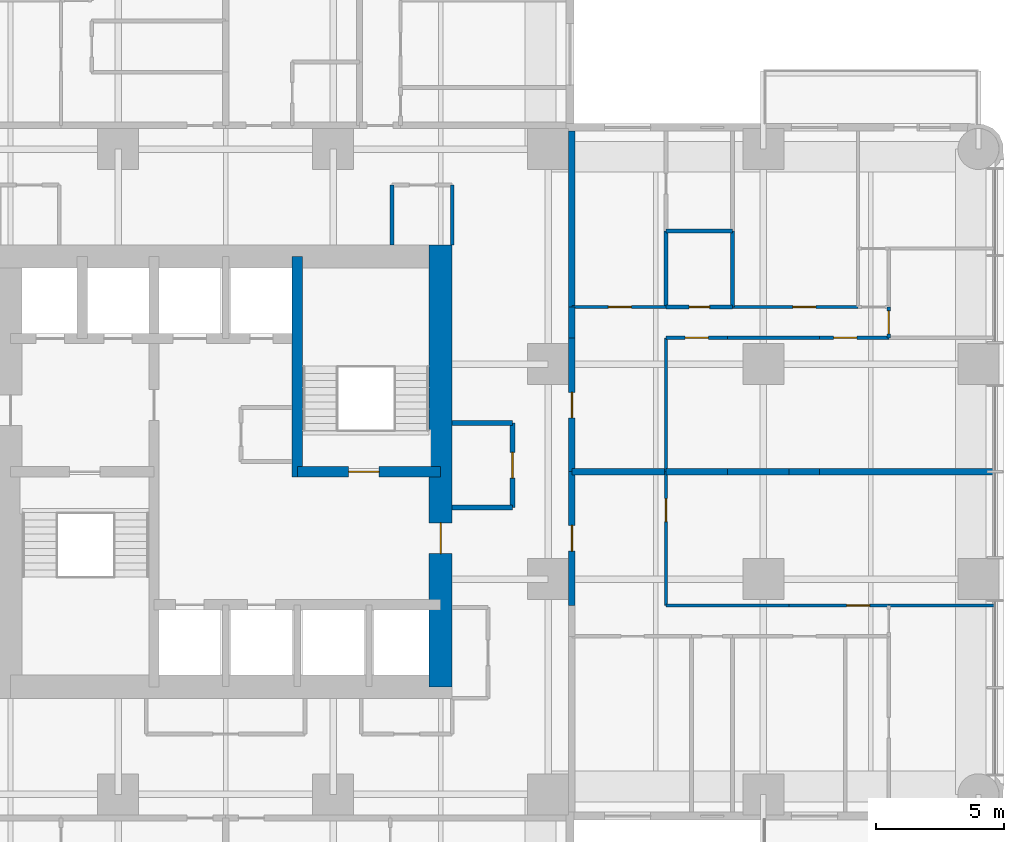
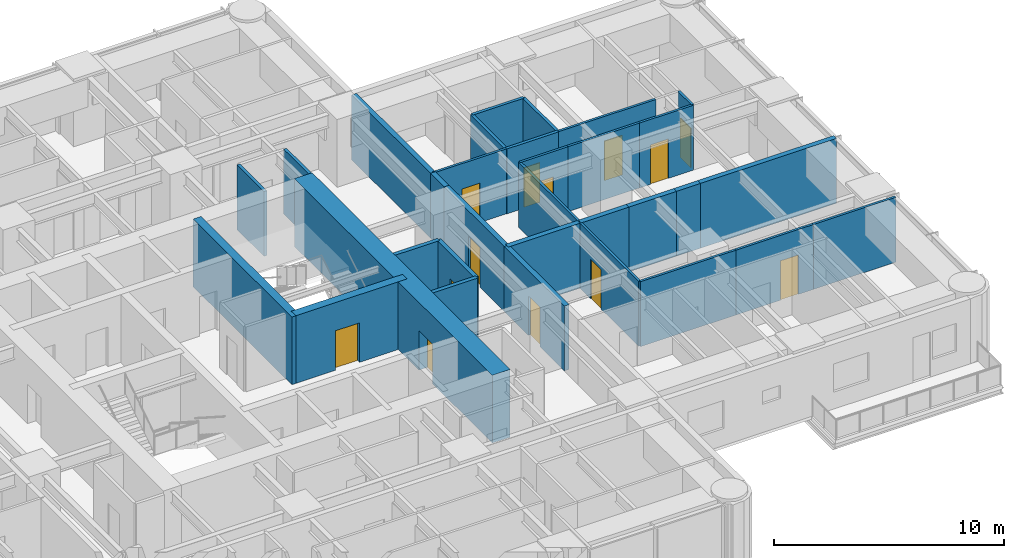
# One storey, part 10 of 15: 32 walls, 13 doors, 13 openings.
"""IFC4 building model written with IfcOpenShell, lengths in metres."""

from ifc_helpers import new_model, si_unit, direction, frame, frame_2d, origin, place, context, subcontext, project, spatial, rectangle, extrude, material, layer, layer_set, type_object, element, fill, save


model = new_model("IFC4")

# Units and contexts
model_context = context("Model", 3, precision=1e-05, world=origin(), true_north=direction((0.0, 1.0)))
body_context = subcontext(model_context, "Body", "Model", "MODEL_VIEW")
ifc_project = project(units=[si_unit("LENGTHUNIT", "METRE"), si_unit("AREAUNIT", "SQUARE_METRE"), si_unit("VOLUMEUNIT", "CUBIC_METRE"), si_unit("PLANEANGLEUNIT", "RADIAN"), si_unit("MASSUNIT", "GRAM", prefix="KILO")], contexts=[model_context])

# Site, building, storey
site_placement = place(None, origin())
site = spatial("IfcSite", under=ifc_project, at=site_placement, CompositionType="ELEMENT")
building_placement = place(site_placement, origin())
building = spatial("IfcBuilding", under=site, at=building_placement, Name="Torre Alcanfor", CompositionType="ELEMENT")
storey_placement = place(building_placement, frame((0.0, 0.0, 152.10009765625)))
storey = spatial("IfcBuildingStorey", under=building, at=storey_placement, Name="L39", CompositionType="ELEMENT", Elevation=152.10009765625)

# Wall, opening, door
ifc_material_1 = material(Name="Concrete block masonry, hollow blocks NMX-C-404 9 MPa", Category="masonry")
ifc_layer_1 = layer(ifc_material_1, 0.25)
ifc_layer_set_1 = layer_set([ifc_layer_1], Name="Apartment entrance wall 250 EI 60")
wall_type_1 = type_object("IfcWallType", Name="Apartment entrance wall 250 EI 60", PredefinedType="PARTITIONING", material=ifc_layer_set_1)
wall_1_placement = place(storey_placement, frame((42.925048828125, 34.62890625, 0.0), z_axis=(0.0, 0.0, 1.0), x_axis=(0.0, -1.0, 0.0)))
wall_1 = element("IfcWall", 1, at=wall_1_placement, inside=storey, type_object=wall_type_1, Name="Partition L39-CORR / L39-E1-ZAG", PredefinedType="PARTITIONING", context=body_context, shape_type="SweptSolid", body=[
    extrude(rectangle(XDim=5.22900390625, YDim=0.25, at=frame_2d((2.614501953125, 0.0))), origin(), (0.0, 0.0, 1.0), 3.449951171875),
])
opening_1_placement = place(wall_1_placement, frame((2.12890625, 0.0, 0.0)))
opening_1 = element("IfcOpeningElement", 2, at=opening_1_placement, cuts=wall_1, Name="Opening D-A1", PredefinedType="OPENING", context=body_context, shape_type="SweptSolid", body=[
    extrude(rectangle(XDim=1.0, YDim=2.10009765625, at=frame_2d((0.5, 1.050048828125))), frame((0.0, 0.135009765625, 0.0), z_axis=(0.0, -1.0, 0.0), x_axis=(1.0, 0.0, 0.0)), (0.0, 0.0, 1.0), 0.27001953125),
])
ifc_material_2 = material(Name="Galvanised steel sheet ASTM A653", Category="steel")
door_type_1 = type_object("IfcDoorType", Name="Apartment entrance door FD60 1000x2100", OperationType="SINGLE_SWING_LEFT", PredefinedType="DOOR", material=ifc_material_2)
door_1_placement = place(opening_1_placement, origin())
door_1 = element("IfcDoor", 3, at=door_1_placement, inside=storey, type_object=door_type_1, Name="Apartment entrance L39-E1", OperationType="SINGLE_SWING_RIGHT", OverallHeight=2.10009765625, OverallWidth=1.0, PredefinedType="DOOR", context=body_context, shape_type="SweptSolid", body=[
    extrude(rectangle(XDim=1.0, YDim=2.10009765625, at=frame_2d((0.5, 1.050048828125))), frame((0.0, 0.02490234375, 0.0), z_axis=(0.0, -1.0, 0.0), x_axis=(1.0, 0.0, 0.0)), (0.0, 0.0, 1.0), 0.050048828125),
])
fill(opening_1, door_1)

# Walls
wall_2_placement = place(storey_placement, frame((42.925048828125, 35.8291015625, 0.0), z_axis=(0.0, 0.0, 1.0), x_axis=(0.0, -1.0, 0.0)))
element("IfcWall", 4, at=wall_2_placement, inside=storey, type_object=wall_type_1, Name="Partition L39-CORR / L39-E1-HALL", PredefinedType="PARTITIONING", context=body_context, shape_type="SweptSolid", body=[
    extrude(rectangle(XDim=1.2001953125, YDim=0.25, at=frame_2d((0.60009765625, 0.0))), origin(), (0.0, 0.0, 1.0), 3.449951171875),
])
wall_3_placement = place(storey_placement, frame((42.925048828125, 42.699951171875, 0.0), z_axis=(0.0, 0.0, 1.0), x_axis=(0.0, -1.0, 0.0)))
element("IfcWall", 5, at=wall_3_placement, inside=storey, type_object=wall_type_1, Name="Partition L39-CORR / L39-E1-SERV", PredefinedType="PARTITIONING", context=body_context, shape_type="SweptSolid", body=[
    extrude(rectangle(XDim=6.870849609375, YDim=0.25, at=frame_2d((3.435546875, 0.0))), origin(), (0.0, 0.0, 1.0), 3.449951171875),
])

# Wall, opening, door
wall_4_placement = place(storey_placement, frame((42.925048828125, 29.39990234375, 0.0), z_axis=(0.0, 0.0, 1.0), x_axis=(0.0, -1.0, 0.0)))
wall_4 = element("IfcWall", 6, at=wall_4_placement, inside=storey, type_object=wall_type_1, Name="Partition L39-CORR / L39-E2-ZAG", PredefinedType="PARTITIONING", context=body_context, shape_type="SweptSolid", body=[
    extrude(rectangle(XDim=5.22900390625, YDim=0.25, at=frame_2d((2.614501953125, 0.0))), origin(), (0.0, 0.0, 1.0), 3.449951171875),
])
opening_2_placement = place(wall_4_placement, frame((2.10009765625, 0.0, 0.0)))
opening_2 = element("IfcOpeningElement", 7, at=opening_2_placement, cuts=wall_4, Name="Opening D-A1", PredefinedType="OPENING", context=body_context, shape_type="SweptSolid", body=[
    extrude(rectangle(XDim=1.0, YDim=2.10009765625, at=frame_2d((0.5, 1.050048828125))), frame((0.0, 0.135009765625, 0.0), z_axis=(0.0, -1.0, 0.0), x_axis=(1.0, 0.0, 0.0)), (0.0, 0.0, 1.0), 0.27001953125),
])
door_2_placement = place(opening_2_placement, origin())
door_2 = element("IfcDoor", 8, at=door_2_placement, inside=storey, type_object=door_type_1, Name="Apartment entrance L39-E2", OperationType="SINGLE_SWING_LEFT", OverallHeight=2.10009765625, OverallWidth=1.0, PredefinedType="DOOR", context=body_context, shape_type="SweptSolid", body=[
    extrude(rectangle(XDim=1.0, YDim=2.10009765625, at=frame_2d((0.5, 1.050048828125))), frame((0.0, 0.02490234375, 0.0), z_axis=(0.0, -1.0, 0.0), x_axis=(1.0, 0.0, 0.0)), (0.0, 0.0, 1.0), 0.050048828125),
])
fill(opening_2, door_2)

# Wall
ifc_material_3 = material(Name="Gypsum board on steel studs", Category="steel")
ifc_layer_2 = layer(ifc_material_3, 0.1201171875)
ifc_layer_set_2 = layer_set([ifc_layer_2], Name="Apartment partition 120")
wall_type_2 = type_object("IfcWallType", Name="Apartment partition 120", PredefinedType="PARTITIONING", material=ifc_layer_set_2)
wall_5_placement = place(storey_placement, frame((46.60009765625, 29.39990234375, 0.0), z_axis=(0.0, 0.0, 1.0), x_axis=(0.0, 1.0, 0.0)))
element("IfcWall", 9, at=wall_5_placement, inside=storey, type_object=wall_type_2, Name="Partition L39-E1-ZAG / L39-E1-LAUND", PredefinedType="PARTITIONING", context=body_context, shape_type="SweptSolid", body=[
    extrude(rectangle(XDim=5.22900390625, YDim=0.1201171875, at=frame_2d((2.614501953125, 0.0))), origin(), (0.0, 0.0, 1.0), 3.449951171875),
])

# Wall, opening, door
wall_6_placement = place(storey_placement, frame((49.0, 34.62890625, 0.0), z_axis=(0.0, 0.0, 1.0), x_axis=(-1.0, 0.0, 0.0)))
wall_6 = element("IfcWall", 10, at=wall_6_placement, inside=storey, type_object=wall_type_2, Name="Partition L39-E1-LAUND / L39-E1-HALL", PredefinedType="PARTITIONING", context=body_context, shape_type="SweptSolid", body=[
    extrude(rectangle(XDim=2.39990234375, YDim=0.1201171875, at=frame_2d((1.199951171875, 0.0))), origin(), (0.0, 0.0, 1.0), 3.449951171875),
])
opening_3_placement = place(wall_6_placement, frame((0.75, 0.0, 0.0)))
opening_3 = element("IfcOpeningElement", 11, at=opening_3_placement, cuts=wall_6, Name="Opening D-R1", PredefinedType="OPENING", context=body_context, shape_type="SweptSolid", body=[
    extrude(rectangle(XDim=0.89990234375, YDim=2.10009765625, at=frame_2d((0.449951171875, 1.050048828125))), frame((0.0, 0.070068359375, 0.0), z_axis=(0.0, -1.0, 0.0), x_axis=(1.0, 0.0, 0.0)), (0.0, 0.0, 1.0), 0.14013671875),
])
ifc_material_4 = material(Name="Timber", Category="wood")
door_type_2 = type_object("IfcDoorType", Name="Internal door 900x2100", OperationType="SINGLE_SWING_LEFT", PredefinedType="DOOR", material=ifc_material_4)
door_3_placement = place(opening_3_placement, origin())
door_3 = element("IfcDoor", 12, at=door_3_placement, inside=storey, type_object=door_type_2, Name="Door L39-E1 laund", OperationType="SINGLE_SWING_LEFT", OverallHeight=2.10009765625, OverallWidth=0.89990234375, PredefinedType="DOOR", context=body_context, shape_type="SweptSolid", body=[
    extrude(rectangle(XDim=0.89990234375, YDim=2.10009765625, at=frame_2d((0.449951171875, 1.050048828125))), frame((0.0, 0.02490234375, 0.0), z_axis=(0.0, -1.0, 0.0), x_axis=(1.0, 0.0, 0.0)), (0.0, 0.0, 1.0), 0.050048828125),
])
fill(opening_3, door_3)

# Wall
wall_7_placement = place(storey_placement, frame((52.60009765625, 34.62890625, 0.0), z_axis=(0.0, 0.0, 1.0), x_axis=(-1.0, 0.0, 0.0)))
element("IfcWall", 13, at=wall_7_placement, inside=storey, type_object=wall_type_2, Name="Partition L39-E1-KITCHEN / L39-E1-HALL", PredefinedType="PARTITIONING", context=body_context, shape_type="SweptSolid", body=[
    extrude(rectangle(XDim=3.60009765625, YDim=0.1201171875, at=frame_2d((1.800048828125, 0.0))), origin(), (0.0, 0.0, 1.0), 3.449951171875),
])

# Wall, opening, door
wall_8_placement = place(storey_placement, frame((55.300048828125, 34.62890625, 0.0), z_axis=(0.0, 0.0, 1.0), x_axis=(-1.0, 0.0, 0.0)))
wall_8 = element("IfcWall", 14, at=wall_8_placement, inside=storey, type_object=wall_type_2, Name="Partition L39-E1-LIVING / L39-E1-HALL", PredefinedType="PARTITIONING", context=body_context, shape_type="SweptSolid", body=[
    extrude(rectangle(XDim=2.699951171875, YDim=0.1201171875, at=frame_2d((1.35009765625, 0.0))), origin(), (0.0, 0.0, 1.0), 3.449951171875),
])
opening_4_placement = place(wall_8_placement, frame((1.25, 0.0, 0.0)))
opening_4 = element("IfcOpeningElement", 15, at=opening_4_placement, cuts=wall_8, Name="Opening D-R1", PredefinedType="OPENING", context=body_context, shape_type="SweptSolid", body=[
    extrude(rectangle(XDim=0.89990234375, YDim=2.10009765625, at=frame_2d((0.449951171875, 1.050048828125))), frame((0.0, 0.070068359375, 0.0), z_axis=(0.0, -1.0, 0.0), x_axis=(1.0, 0.0, 0.0)), (0.0, 0.0, 1.0), 0.14013671875),
])
door_4_placement = place(opening_4_placement, origin())
door_4 = element("IfcDoor", 16, at=door_4_placement, inside=storey, type_object=door_type_2, Name="Door L39-E1 living", OperationType="SINGLE_SWING_RIGHT", OverallHeight=2.10009765625, OverallWidth=0.89990234375, PredefinedType="DOOR", context=body_context, shape_type="SweptSolid", body=[
    extrude(rectangle(XDim=0.89990234375, YDim=2.10009765625, at=frame_2d((0.449951171875, 1.050048828125))), frame((0.0, 0.02490234375, 0.0), z_axis=(0.0, -1.0, 0.0), x_axis=(1.0, 0.0, 0.0)), (0.0, 0.0, 1.0), 0.050048828125),
])
fill(opening_4, door_4)

wall_9_placement = place(storey_placement, frame((46.60009765625, 35.8291015625, 0.0), z_axis=(0.0, 0.0, 1.0), x_axis=(-1.0, 0.0, 0.0)))
wall_9 = element("IfcWall", 17, at=wall_9_placement, inside=storey, type_object=wall_type_2, Name="Partition L39-E1-HALL / L39-E1-SERV", PredefinedType="PARTITIONING", context=body_context, shape_type="SweptSolid", body=[
    extrude(rectangle(XDim=3.675048828125, YDim=0.1201171875, at=frame_2d((1.83740234375, 0.0))), origin(), (0.0, 0.0, 1.0), 3.449951171875),
])
opening_5_placement = place(wall_9_placement, frame((1.35009765625, 0.0, 0.0)))
opening_5 = element("IfcOpeningElement", 18, at=opening_5_placement, cuts=wall_9, Name="Opening D-R1", PredefinedType="OPENING", context=body_context, shape_type="SweptSolid", body=[
    extrude(rectangle(XDim=0.89990234375, YDim=2.10009765625, at=frame_2d((0.449951171875, 1.050048828125))), frame((0.0, 0.070068359375, 0.0), z_axis=(0.0, -1.0, 0.0), x_axis=(1.0, 0.0, 0.0)), (0.0, 0.0, 1.0), 0.14013671875),
])
door_5_placement = place(opening_5_placement, frame((0.89990234375, 0.0, 0.0), z_axis=(0.0, 0.0, 1.0), x_axis=(-1.0, 0.0, 0.0)))
door_5 = element("IfcDoor", 19, at=door_5_placement, inside=storey, type_object=door_type_2, Name="Door L39-E1 serv", OperationType="SINGLE_SWING_RIGHT", OverallHeight=2.10009765625, OverallWidth=0.89990234375, PredefinedType="DOOR", context=body_context, shape_type="SweptSolid", body=[
    extrude(rectangle(XDim=0.89990234375, YDim=2.10009765625, at=frame_2d((0.449951171875, 1.050048828125))), frame((0.0, 0.025146484375, 0.0), z_axis=(0.0, -1.0, 0.0), x_axis=(1.0, 0.0, 0.0)), (0.0, 0.0, 1.0), 0.050048828125),
])
fill(opening_5, door_5)

wall_10_placement = place(storey_placement, frame((54.10009765625, 35.8291015625, 0.0), z_axis=(0.0, 0.0, 1.0), x_axis=(-1.0, 0.0, 0.0)))
wall_10 = element("IfcWall", 20, at=wall_10_placement, inside=storey, type_object=wall_type_2, Name="Partition L39-E1-HALL / L39-E1-BED3", PredefinedType="PARTITIONING", context=body_context, shape_type="SweptSolid", body=[
    extrude(rectangle(XDim=4.900146484375, YDim=0.1201171875, at=frame_2d((2.4501953125, 0.0))), origin(), (0.0, 0.0, 1.0), 3.449951171875),
])
opening_6_placement = place(wall_10_placement, frame((1.64990234375, 0.0, 0.0)))
opening_6 = element("IfcOpeningElement", 21, at=opening_6_placement, cuts=wall_10, Name="Opening D-R1", PredefinedType="OPENING", context=body_context, shape_type="SweptSolid", body=[
    extrude(rectangle(XDim=0.89990234375, YDim=2.10009765625, at=frame_2d((0.449951171875, 1.050048828125))), frame((0.0, 0.070068359375, 0.0), z_axis=(0.0, -1.0, 0.0), x_axis=(1.0, 0.0, 0.0)), (0.0, 0.0, 1.0), 0.14013671875),
])
door_6_placement = place(opening_6_placement, frame((0.89990234375, 0.0, 0.0), z_axis=(0.0, 0.0, 1.0), x_axis=(-1.0, 0.0, 0.0)))
door_6 = element("IfcDoor", 22, at=door_6_placement, inside=storey, type_object=door_type_2, Name="Door L39-E1 bed3", OperationType="SINGLE_SWING_RIGHT", OverallHeight=2.10009765625, OverallWidth=0.89990234375, PredefinedType="DOOR", context=body_context, shape_type="SweptSolid", body=[
    extrude(rectangle(XDim=0.89990234375, YDim=2.10009765625, at=frame_2d((0.449951171875, 1.050048828125))), frame((0.0, 0.025146484375, 0.0), z_axis=(0.0, -1.0, 0.0), x_axis=(1.0, 0.0, 0.0)), (0.0, 0.0, 1.0), 0.050048828125),
])
fill(opening_6, door_6)

wall_11_placement = place(storey_placement, frame((55.300048828125, 34.62890625, 0.0), z_axis=(0.0, 0.0, 1.0), x_axis=(0.0, 1.0, 0.0)))
wall_11 = element("IfcWall", 23, at=wall_11_placement, inside=storey, type_object=wall_type_2, Name="Partition L39-E1-HALL / L39-E1-BED2", PredefinedType="PARTITIONING", context=body_context, shape_type="SweptSolid", body=[
    extrude(rectangle(XDim=1.2001953125, YDim=0.1201171875, at=frame_2d((0.60009765625, 0.0))), origin(), (0.0, 0.0, 1.0), 3.449951171875),
])
opening_7_placement = place(wall_11_placement, frame((0.15087890625, 0.0, 0.0)))
opening_7 = element("IfcOpeningElement", 24, at=opening_7_placement, cuts=wall_11, Name="Opening D-R1", PredefinedType="OPENING", context=body_context, shape_type="SweptSolid", body=[
    extrude(rectangle(XDim=0.89990234375, YDim=2.10009765625, at=frame_2d((0.449951171875, 1.050048828125))), frame((0.0, 0.070068359375, 0.0), z_axis=(0.0, -1.0, 0.0), x_axis=(1.0, 0.0, 0.0)), (0.0, 0.0, 1.0), 0.14013671875),
])
door_7_placement = place(opening_7_placement, frame((0.89990234375, 0.0, 0.0), z_axis=(0.0, 0.0, 1.0), x_axis=(-1.0, 0.0, 0.0)))
door_7 = element("IfcDoor", 25, at=door_7_placement, inside=storey, type_object=door_type_2, Name="Door L39-E1 bed2", OperationType="SINGLE_SWING_RIGHT", OverallHeight=2.10009765625, OverallWidth=0.89990234375, PredefinedType="DOOR", context=body_context, shape_type="SweptSolid", body=[
    extrude(rectangle(XDim=0.89990234375, YDim=2.10009765625, at=frame_2d((0.449951171875, 1.050048828125))), frame((0.0, 0.025146484375, 0.0), z_axis=(0.0, -1.0, 0.0), x_axis=(1.0, 0.0, 0.0)), (0.0, 0.0, 1.0), 0.050048828125),
])
fill(opening_7, door_7)

wall_12_placement = place(storey_placement, frame((46.60009765625, 29.39990234375, 0.0), z_axis=(0.0, 0.0, 1.0), x_axis=(0.0, -1.0, 0.0)))
wall_12 = element("IfcWall", 26, at=wall_12_placement, inside=storey, type_object=wall_type_2, Name="Partition L39-E2-ZAG / L39-E2-KITCHEN", PredefinedType="PARTITIONING", context=body_context, shape_type="SweptSolid", body=[
    extrude(rectangle(XDim=5.22900390625, YDim=0.1201171875, at=frame_2d((2.614501953125, 0.0))), origin(), (0.0, 0.0, 1.0), 3.449951171875),
])
opening_8_placement = place(wall_12_placement, frame((1.050048828125, 0.0, 0.0)))
opening_8 = element("IfcOpeningElement", 27, at=opening_8_placement, cuts=wall_12, Name="Opening D-R1", PredefinedType="OPENING", context=body_context, shape_type="SweptSolid", body=[
    extrude(rectangle(XDim=0.89990234375, YDim=2.10009765625, at=frame_2d((0.449951171875, 1.050048828125))), frame((0.0, 0.070068359375, 0.0), z_axis=(0.0, -1.0, 0.0), x_axis=(1.0, 0.0, 0.0)), (0.0, 0.0, 1.0), 0.14013671875),
])
door_8_placement = place(opening_8_placement, origin())
door_8 = element("IfcDoor", 28, at=door_8_placement, inside=storey, type_object=door_type_2, Name="Door L39-E2 kitchen", OperationType="SINGLE_SWING_LEFT", OverallHeight=2.10009765625, OverallWidth=0.89990234375, PredefinedType="DOOR", context=body_context, shape_type="SweptSolid", body=[
    extrude(rectangle(XDim=0.89990234375, YDim=2.10009765625, at=frame_2d((0.449951171875, 1.050048828125))), frame((0.0, 0.02490234375, 0.0), z_axis=(0.0, -1.0, 0.0), x_axis=(1.0, 0.0, 0.0)), (0.0, 0.0, 1.0), 0.050048828125),
])
fill(opening_8, door_8)

# Wall
wall_13_placement = place(storey_placement, frame((51.39990234375, 24.1708984375, 0.0), z_axis=(0.0, 0.0, 1.0), x_axis=(-1.0, 0.0, 0.0)))
element("IfcWall", 29, at=wall_13_placement, inside=storey, type_object=wall_type_2, Name="Partition L39-E2-KITCHEN / L39-E2-HALL", PredefinedType="PARTITIONING", context=body_context, shape_type="SweptSolid", body=[
    extrude(rectangle(XDim=4.7998046875, YDim=0.1201171875, at=frame_2d((2.39990234375, 0.0))), origin(), (0.0, 0.0, 1.0), 3.449951171875),
])

# Wall, opening, door
wall_14_placement = place(storey_placement, frame((55.300048828125, 24.1708984375, 0.0), z_axis=(0.0, 0.0, 1.0), x_axis=(-1.0, 0.0, 0.0)))
wall_14 = element("IfcWall", 30, at=wall_14_placement, inside=storey, type_object=wall_type_2, Name="Partition L39-E2-LIVING / L39-E2-HALL", PredefinedType="PARTITIONING", context=body_context, shape_type="SweptSolid", body=[
    extrude(rectangle(XDim=3.900146484375, YDim=0.1201171875, at=frame_2d((1.9501953125, 0.0))), origin(), (0.0, 0.0, 1.0), 3.449951171875),
])
opening_9_placement = place(wall_14_placement, frame((0.75, 0.0, 0.0)))
opening_9 = element("IfcOpeningElement", 31, at=opening_9_placement, cuts=wall_14, Name="Opening D-R1", PredefinedType="OPENING", context=body_context, shape_type="SweptSolid", body=[
    extrude(rectangle(XDim=0.89990234375, YDim=2.10009765625, at=frame_2d((0.449951171875, 1.050048828125))), frame((0.0, 0.070068359375, 0.0), z_axis=(0.0, -1.0, 0.0), x_axis=(1.0, 0.0, 0.0)), (0.0, 0.0, 1.0), 0.14013671875),
])
door_9_placement = place(opening_9_placement, frame((0.89990234375, 0.0, 0.0), z_axis=(0.0, 0.0, 1.0), x_axis=(-1.0, 0.0, 0.0)))
door_9 = element("IfcDoor", 32, at=door_9_placement, inside=storey, type_object=door_type_2, Name="Door L39-E2 living", OperationType="SINGLE_SWING_LEFT", OverallHeight=2.10009765625, OverallWidth=0.89990234375, PredefinedType="DOOR", context=body_context, shape_type="SweptSolid", body=[
    extrude(rectangle(XDim=0.89990234375, YDim=2.10009765625, at=frame_2d((0.449951171875, 1.050048828125))), frame((0.0, 0.025146484375, 0.0), z_axis=(0.0, -1.0, 0.0), x_axis=(1.0, 0.0, 0.0)), (0.0, 0.0, 1.0), 0.050048828125),
])
fill(opening_9, door_9)

# Walls
wall_15_placement = place(storey_placement, frame((59.449951171875, 24.1708984375, 0.0), z_axis=(0.0, 0.0, 1.0), x_axis=(-1.0, 0.0, 0.0)))
element("IfcWall", 33, at=wall_15_placement, inside=storey, type_object=wall_type_2, Name="Partition L39-E2-LIVING / L39-E2-MASTER", PredefinedType="PARTITIONING", context=body_context, shape_type="SweptSolid", body=[
    extrude(rectangle(XDim=4.14990234375, YDim=0.1201171875, at=frame_2d((2.074951171875, 0.0))), origin(), (0.0, 0.0, 1.0), 3.449951171875),
])
ifc_material_5 = material(Name="Concrete f'c 70 MPa", Category="concrete")
ifc_layer_3 = layer(ifc_material_5, 0.39990234375)
ifc_layer_set_3 = layer_set([ifc_layer_3], Name="Core inner wall 400 f'c70")
wall_type_3 = type_object("IfcWallType", Name="Core inner wall 400 f'c70", PredefinedType="SHEAR", material=ifc_layer_set_3)
wall_16_placement = place(storey_placement, frame((32.199951171875, 29.199951171875, 0.0), z_axis=(0.0, 0.0, 1.0), x_axis=(0.0, 1.0, 0.0)))
element("IfcWall", 34, at=wall_16_placement, inside=storey, type_object=wall_type_3, Name="Core wall X322N L39", PredefinedType="SHEAR", context=body_context, shape_type="SweptSolid", body=[
    extrude(rectangle(XDim=8.60009765625, YDim=0.39990234375, at=frame_2d((4.300048828125, 0.0))), origin(), (0.0, 0.0, 1.0), 3.599853515625),
])

# Wall, opening, door
wall_17_placement = place(storey_placement, frame((32.199951171875, 29.39990234375, 0.0), z_axis=(0.0, 0.0, 1.0), x_axis=(1.0, 0.0, 0.0)))
wall_17 = element("IfcWall", 35, at=wall_17_placement, inside=storey, type_object=wall_type_3, Name="Core wall Y294E L39", PredefinedType="SHEAR", context=body_context, shape_type="SweptSolid", body=[
    extrude(rectangle(XDim=5.60009765625, YDim=0.39990234375, at=frame_2d((2.800048828125, 0.0))), origin(), (0.0, 0.0, 1.0), 3.599853515625),
])
opening_10_placement = place(wall_17_placement, frame((2.0, 0.0, 0.0)))
opening_10 = element("IfcOpeningElement", 36, at=opening_10_placement, cuts=wall_17, Name="Opening D-S2", PredefinedType="OPENING", context=body_context, shape_type="SweptSolid", body=[
    extrude(rectangle(XDim=1.199951171875, YDim=2.10009765625, at=frame_2d((0.60009765625, 1.050048828125))), frame((0.0, 0.2099609375, 0.0), z_axis=(0.0, -1.0, 0.0), x_axis=(1.0, 0.0, 0.0)), (0.0, 0.0, 1.0), 0.419921875),
])
ifc_material_6 = material(Name="Galvanised steel sheet ASTM A653", Category="steel")
door_type_3 = type_object("IfcDoorType", Name="Stair enclosure door FD120 1200x2100", OperationType="SINGLE_SWING_LEFT", PredefinedType="DOOR", material=ifc_material_6)
door_10_placement = place(opening_10_placement, origin())
door_10 = element("IfcDoor", 37, at=door_10_placement, inside=storey, type_object=door_type_3, Name="Stair S2 door L39", OperationType="SINGLE_SWING_LEFT", OverallHeight=2.10009765625, OverallWidth=1.199951171875, PredefinedType="DOOR", context=body_context, shape_type="SweptSolid", body=[
    extrude(rectangle(XDim=1.199951171875, YDim=2.10009765625, at=frame_2d((0.60009765625, 1.050048828125))), frame((0.0, 0.02490234375, 0.0), z_axis=(0.0, -1.0, 0.0), x_axis=(1.0, 0.0, 0.0)), (0.0, 0.0, 1.0), 0.050048828125),
])
fill(opening_10, door_10)

ifc_material_7 = material(Name="Concrete f'c 70 MPa", Category="concrete")
ifc_layer_4 = layer(ifc_material_7, 0.89990234375)
ifc_layer_set_4 = layer_set([ifc_layer_4], Name="Core wall 900 f'c70")
wall_type_4 = type_object("IfcWallType", Name="Core wall 900 f'c70", PredefinedType="SHEAR", material=ifc_layer_set_4)
wall_18_placement = place(storey_placement, frame((37.800048828125, 21.0, 0.0), z_axis=(0.0, 0.0, 1.0), x_axis=(0.0, 1.0, 0.0)))
wall_18 = element("IfcWall", 38, at=wall_18_placement, inside=storey, type_object=wall_type_4, Name="Core wall OUT-E L39", PredefinedType="SHEAR", context=body_context, shape_type="SweptSolid", body=[
    extrude(rectangle(XDim=17.25, YDim=0.89990234375, at=frame_2d((8.625, 0.0))), origin(), (0.0, 0.0, 1.0), 3.599853515625),
])
opening_11_placement = place(wall_18_placement, frame((5.199951171875, 0.0, 0.0)))
opening_11 = element("IfcOpeningElement", 39, at=opening_11_placement, cuts=wall_18, Name="Opening D-L1", PredefinedType="OPENING", context=body_context, shape_type="SweptSolid", body=[
    extrude(rectangle(XDim=1.199951171875, YDim=2.10009765625, at=frame_2d((0.60009765625, 1.050048828125))), frame((0.0, 0.4599609375, 0.0), z_axis=(0.0, -1.0, 0.0), x_axis=(1.0, 0.0, 0.0)), (0.0, 0.0, 1.0), 0.919921875),
])
ifc_material_8 = material(Name="Galvanised steel sheet ASTM A653", Category="steel")
door_type_4 = type_object("IfcDoorType", Name="Lobby door FD120 1200x2100", OperationType="SINGLE_SWING_LEFT", PredefinedType="DOOR", material=ifc_material_8)
door_11_placement = place(opening_11_placement, origin())
door_11 = element("IfcDoor", 40, at=door_11_placement, inside=storey, type_object=door_type_4, Name="Lift lobby entrance door L39", OperationType="SINGLE_SWING_LEFT", OverallHeight=2.10009765625, OverallWidth=1.199951171875, PredefinedType="DOOR", context=body_context, shape_type="SweptSolid", body=[
    extrude(rectangle(XDim=1.199951171875, YDim=2.10009765625, at=frame_2d((0.60009765625, 1.050048828125))), frame((0.0, 0.02490234375, 0.0), z_axis=(0.0, -1.0, 0.0), x_axis=(1.0, 0.0, 0.0)), (0.0, 0.0, 1.0), 0.050048828125),
])
fill(opening_11, door_11)

# Walls
ifc_material_9 = material(Name="Concrete block masonry, hollow blocks NMX-C-404 9 MPa", Category="masonry")
ifc_layer_5 = layer(ifc_material_9, 0.25)
ifc_layer_set_5 = layer_set([ifc_layer_5], Name="Party wall 250 EI 60")
wall_type_5 = type_object("IfcWallType", Name="Party wall 250 EI 60", PredefinedType="PARTITIONING", material=ifc_layer_set_5)
wall_19_placement = place(storey_placement, frame((42.925048828125, 29.39990234375, 0.0), z_axis=(0.0, 0.0, 1.0), x_axis=(1.0, 0.0, 0.0)))
element("IfcWall", 41, at=wall_19_placement, inside=storey, type_object=wall_type_5, Name="Partition L39-E1-ZAG / L39-E2-ZAG", PredefinedType="PARTITIONING", context=body_context, shape_type="SweptSolid", body=[
    extrude(rectangle(XDim=3.675048828125, YDim=0.25, at=frame_2d((1.83740234375, 0.0))), origin(), (0.0, 0.0, 1.0), 3.449951171875),
])
for number, where, z_axis, x_axis, name in (
    (42, (46.60009765625, 29.39990234375, 0.0), (0.0, 0.0, 1.0), (1.0, 0.0, 0.0), "Partition L39-E1-LAUND / L39-E2-KITCHEN"),
    (43, (49.0, 29.39990234375, 0.0), (0.0, 0.0, 1.0), (1.0, 0.0, 0.0), "Partition L39-E1-KITCHEN / L39-E2-KITCHEN"),
):
    element("IfcWall", number, at=place(storey_placement, frame(where, z_axis=z_axis, x_axis=x_axis)), inside=storey, type_object=wall_type_5, Name=name, PredefinedType="PARTITIONING", context=body_context, shape_type="SweptSolid", body=[
        extrude(rectangle(XDim=2.39990234375, YDim=0.25, at=frame_2d((1.199951171875, 0.0))), origin(), (0.0, 0.0, 1.0), 3.449951171875),
    ])
wall_20_placement = place(storey_placement, frame((51.39990234375, 29.39990234375, 0.0), z_axis=(0.0, 0.0, 1.0), x_axis=(1.0, 0.0, 0.0)))
element("IfcWall", 44, at=wall_20_placement, inside=storey, type_object=wall_type_5, Name="Partition L39-E1-KITCHEN / L39-E2-LIVING", PredefinedType="PARTITIONING", context=body_context, shape_type="SweptSolid", body=[
    extrude(rectangle(XDim=1.2001953125, YDim=0.25, at=frame_2d((0.60009765625, 0.0))), origin(), (0.0, 0.0, 1.0), 3.449951171875),
])
wall_21_placement = place(storey_placement, frame((52.60009765625, 29.39990234375, 0.0), z_axis=(0.0, 0.0, 1.0), x_axis=(1.0, 0.0, 0.0)))
element("IfcWall", 45, at=wall_21_placement, inside=storey, type_object=wall_type_5, Name="Partition L39-E1-LIVING / L39-E2-LIVING", PredefinedType="PARTITIONING", context=body_context, shape_type="SweptSolid", body=[
    extrude(rectangle(XDim=6.849853515625, YDim=0.25, at=frame_2d((3.4248046875, 0.0))), origin(), (0.0, 0.0, 1.0), 3.449951171875),
])
ifc_material_10 = material(Name="Concrete block masonry, hollow blocks NMX-C-404 9 MPa", Category="masonry")
ifc_layer_6 = layer(ifc_material_10, 0.199951171875)
ifc_layer_set_6 = layer_set([ifc_layer_6], Name="Plant room wall 200 EI 60")
wall_type_6 = type_object("IfcWallType", Name="Plant room wall 200 EI 60", PredefinedType="PARTITIONING", material=ifc_layer_set_6)
wall_22_placement = place(storey_placement, frame((38.25, 28.0, 0.0), z_axis=(0.0, 0.0, 1.0), x_axis=(1.0, 0.0, 0.0)))
element("IfcWall", 46, at=wall_22_placement, inside=storey, type_object=wall_type_6, Name="Partition L39-CORR / L39-G04", PredefinedType="PARTITIONING", context=body_context, shape_type="SweptSolid", body=[
    extrude(rectangle(XDim=2.35009765625, YDim=0.199951171875, at=frame_2d((1.175048828125, 0.0))), origin(), (0.0, 0.0, 1.0), 3.449951171875),
])

# Wall, opening, door
wall_23_placement = place(storey_placement, frame((40.60009765625, 28.0, 0.0), z_axis=(0.0, 0.0, 1.0), x_axis=(0.0, 1.0, 0.0)))
wall_23 = element("IfcWall", 47, at=wall_23_placement, inside=storey, type_object=wall_type_6, Name="Partition L39-CORR / L39-G04", PredefinedType="PARTITIONING", context=body_context, shape_type="SweptSolid", body=[
    extrude(rectangle(XDim=3.300048828125, YDim=0.199951171875, at=frame_2d((1.64990234375, 0.0))), origin(), (0.0, 0.0, 1.0), 3.449951171875),
])
opening_12_placement = place(wall_23_placement, frame((1.14990234375, 0.0, 0.0)))
opening_12 = element("IfcOpeningElement", 48, at=opening_12_placement, cuts=wall_23, Name="Opening D-K1", PredefinedType="OPENING", context=body_context, shape_type="SweptSolid", body=[
    extrude(rectangle(XDim=1.0, YDim=2.10009765625, at=frame_2d((0.5, 1.050048828125))), frame((0.0, 0.10986328125, 0.0), z_axis=(0.0, -1.0, 0.0), x_axis=(1.0, 0.0, 0.0)), (0.0, 0.0, 1.0), 0.219970703125),
])
ifc_material_11 = material(Name="Galvanised steel sheet ASTM A653", Category="steel")
door_type_5 = type_object("IfcDoorType", Name="Core room door FD60 1000x2100", OperationType="SINGLE_SWING_LEFT", PredefinedType="DOOR", material=ifc_material_11)
door_12_placement = place(opening_12_placement, origin())
door_12 = element("IfcDoor", 49, at=door_12_placement, inside=storey, type_object=door_type_5, Name="Door L39-G04 refuse and recycling store", OperationType="SINGLE_SWING_LEFT", OverallHeight=2.10009765625, OverallWidth=1.0, PredefinedType="DOOR", context=body_context, shape_type="SweptSolid", body=[
    extrude(rectangle(XDim=1.0, YDim=2.10009765625, at=frame_2d((0.5, 1.050048828125))), frame((0.0, 0.02490234375, 0.0), z_axis=(0.0, -1.0, 0.0), x_axis=(1.0, 0.0, 0.0)), (0.0, 0.0, 1.0), 0.050048828125),
])
fill(opening_12, door_12)

# Walls
wall_24_placement = place(storey_placement, frame((40.60009765625, 31.300048828125, 0.0), z_axis=(0.0, 0.0, 1.0), x_axis=(-1.0, 0.0, 0.0)))
element("IfcWall", 50, at=wall_24_placement, inside=storey, type_object=wall_type_6, Name="Partition L39-CORR / L39-G04", PredefinedType="PARTITIONING", context=body_context, shape_type="SweptSolid", body=[
    extrude(rectangle(XDim=2.35009765625, YDim=0.199951171875, at=frame_2d((1.175048828125, 0.0))), origin(), (0.0, 0.0, 1.0), 3.449951171875),
])
ifc_material_12 = material(Name="Concrete block masonry, hollow blocks NMX-C-404 9 MPa", Category="masonry")
ifc_layer_7 = layer(ifc_material_12, 0.14990234375)
ifc_layer_set_7 = layer_set([ifc_layer_7], Name="Residents' room partition 150")
wall_type_7 = type_object("IfcWallType", Name="Residents' room partition 150", PredefinedType="PARTITIONING", material=ifc_layer_set_7)
for number, where, z_axis, x_axis, name in (
    (51, (38.25, 38.25, 0.0), (0.0, 0.0, 1.0), (0.0, 1.0, 0.0), "Partition L39-CORR / L39-G02"),
    (52, (35.89990234375, 40.60009765625, 0.0), (0.0, 0.0, 1.0), (0.0, -1.0, 0.0), "Partition L39-CORR / L39-G02"),
):
    element("IfcWall", number, at=place(storey_placement, frame(where, z_axis=z_axis, x_axis=x_axis)), inside=storey, type_object=wall_type_7, Name=name, PredefinedType="PARTITIONING", context=body_context, shape_type="SweptSolid", body=[
        extrude(rectangle(XDim=2.35009765625, YDim=0.14990234375, at=frame_2d((1.175048828125, 0.0))), origin(), (0.0, 0.0, 1.0), 3.449951171875),
    ])

# Wall, opening, door
ifc_material_13 = material(Name="Cement board on steel studs", Category="steel")
ifc_layer_8 = layer(ifc_material_13, 0.14990234375)
ifc_layer_set_8 = layer_set([ifc_layer_8], Name="Wet area partition 150")
wall_type_8 = type_object("IfcWallType", Name="Wet area partition 150", PredefinedType="PARTITIONING", material=ifc_layer_set_8)
wall_25_placement = place(storey_placement, frame((49.199951171875, 35.8291015625, 0.0), z_axis=(0.0, 0.0, 1.0), x_axis=(-1.0, 0.0, 0.0)))
wall_25 = element("IfcWall", 53, at=wall_25_placement, inside=storey, type_object=wall_type_8, Name="Partition L39-E1-HALL / L39-E1-BATH1", PredefinedType="PARTITIONING", context=body_context, shape_type="SweptSolid", body=[
    extrude(rectangle(XDim=2.599853515625, YDim=0.14990234375, at=frame_2d((1.2998046875, 0.0))), origin(), (0.0, 0.0, 1.0), 3.449951171875),
])
opening_13_placement = place(wall_25_placement, frame((0.89990234375, 0.0, 0.0)))
opening_13 = element("IfcOpeningElement", 54, at=opening_13_placement, cuts=wall_25, Name="Opening D-R2", PredefinedType="OPENING", context=body_context, shape_type="SweptSolid", body=[
    extrude(rectangle(XDim=0.800048828125, YDim=2.10009765625, at=frame_2d((0.39990234375, 1.050048828125))), frame((0.0, 0.0849609375, 0.0), z_axis=(0.0, -1.0, 0.0), x_axis=(1.0, 0.0, 0.0)), (0.0, 0.0, 1.0), 0.169921875),
])
ifc_material_14 = material(Name="Timber", Category="wood")
door_type_6 = type_object("IfcDoorType", Name="Bathroom door 800x2100", OperationType="SINGLE_SWING_LEFT", PredefinedType="DOOR", material=ifc_material_14)
door_13_placement = place(opening_13_placement, frame((0.800048828125, 0.0, 0.0), z_axis=(0.0, 0.0, 1.0), x_axis=(-1.0, 0.0, 0.0)))
door_13 = element("IfcDoor", 55, at=door_13_placement, inside=storey, type_object=door_type_6, Name="Door L39-E1 bath1", OperationType="SINGLE_SWING_RIGHT", OverallHeight=2.10009765625, OverallWidth=0.800048828125, PredefinedType="DOOR", context=body_context, shape_type="SweptSolid", body=[
    extrude(rectangle(XDim=0.800048828125, YDim=2.10009765625, at=frame_2d((0.400146484375, 1.050048828125))), frame((0.0, 0.025146484375, 0.0), z_axis=(0.0, -1.0, 0.0), x_axis=(1.0, 0.0, 0.0)), (0.0, 0.0, 1.0), 0.050048828125),
])
fill(opening_13, door_13)

# Walls
wall_26_placement = place(storey_placement, frame((46.60009765625, 35.8291015625, 0.0), z_axis=(0.0, 0.0, 1.0), x_axis=(0.0, 1.0, 0.0)))
element("IfcWall", 56, at=wall_26_placement, inside=storey, type_object=wall_type_8, Name="Partition L39-E1-SERV / L39-E1-BATH1", PredefinedType="PARTITIONING", context=body_context, shape_type="SweptSolid", body=[
    extrude(rectangle(XDim=2.970947265625, YDim=0.14990234375, at=frame_2d((1.4853515625, 0.0))), origin(), (0.0, 0.0, 1.0), 3.449951171875),
])
wall_27_placement = place(storey_placement, frame((49.199951171875, 38.800048828125, 0.0), z_axis=(0.0, 0.0, 1.0), x_axis=(-1.0, 0.0, 0.0)))
element("IfcWall", 57, at=wall_27_placement, inside=storey, type_object=wall_type_8, Name="Partition L39-E1-BATH1 / L39-E1-SBATH", PredefinedType="PARTITIONING", context=body_context, shape_type="SweptSolid", body=[
    extrude(rectangle(XDim=2.599853515625, YDim=0.14990234375, at=frame_2d((1.2998046875, 0.0))), origin(), (0.0, 0.0, 1.0), 3.449951171875),
])
wall_28_placement = place(storey_placement, frame((49.199951171875, 35.8291015625, 0.0), z_axis=(0.0, 0.0, 1.0), x_axis=(0.0, 1.0, 0.0)))
element("IfcWall", 58, at=wall_28_placement, inside=storey, type_object=wall_type_8, Name="Partition L39-E1-BATH1 / L39-E1-BED3", PredefinedType="PARTITIONING", context=body_context, shape_type="SweptSolid", body=[
    extrude(rectangle(XDim=2.970947265625, YDim=0.14990234375, at=frame_2d((1.4853515625, 0.0))), origin(), (0.0, 0.0, 1.0), 3.449951171875),
])

save(model, "model.ifc")
